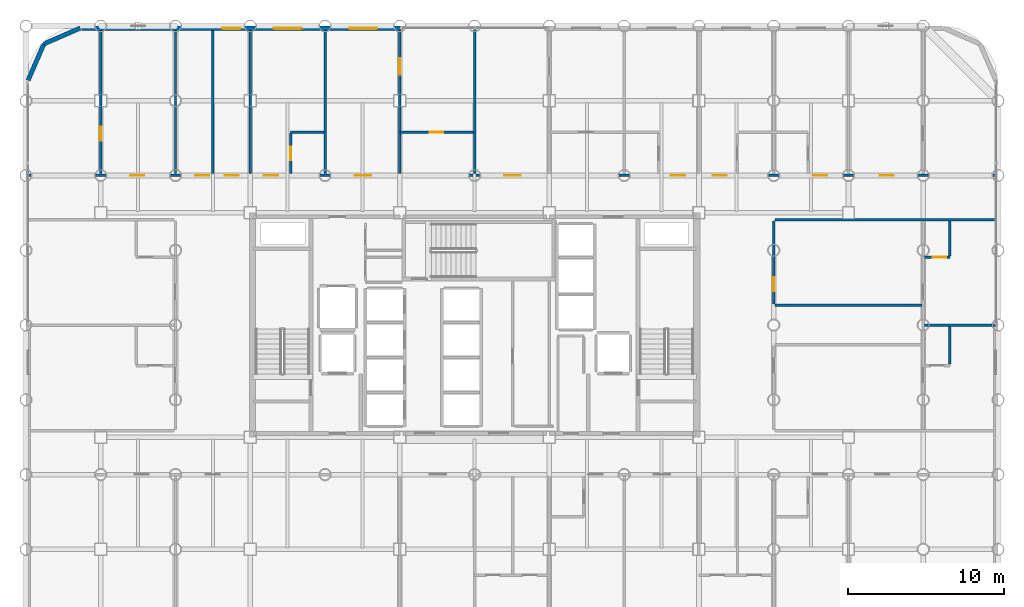
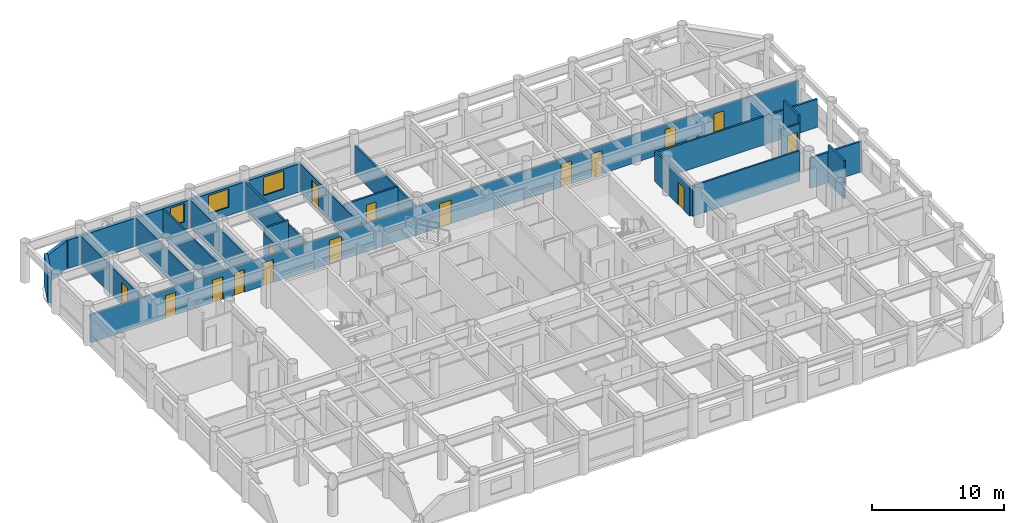
# One storey, part 18 of 20: 21 walls, 16 doors, 3 windows, 19 openings.
"""IFC4 building model written with IfcOpenShell, lengths in metres."""

from ifc_helpers import new_model, si_unit, direction, frame, frame_2d, origin, place, context, subcontext, project, spatial, rectangle, extrude, material, layer, layer_set, type_object, element, fill, save


model = new_model("IFC4")

# Units and contexts
model_context = context("Model", 3, precision=1e-05, world=origin(), true_north=direction((0.0, 1.0)))
body_context = subcontext(model_context, "Body", "Model", "MODEL_VIEW")
ifc_project = project(units=[si_unit("LENGTHUNIT", "METRE"), si_unit("AREAUNIT", "SQUARE_METRE"), si_unit("VOLUMEUNIT", "CUBIC_METRE"), si_unit("PLANEANGLEUNIT", "RADIAN"), si_unit("MASSUNIT", "GRAM", prefix="KILO")], contexts=[model_context])

# Site, building, storey
site_placement = place(None, origin())
site = spatial("IfcSite", under=ifc_project, at=site_placement, CompositionType="ELEMENT")
building_placement = place(site_placement, origin())
building = spatial("IfcBuilding", under=site, at=building_placement, Name="Kallvorn Hotel Tower", CompositionType="ELEMENT")
storey_placement = place(building_placement, frame((0.0, 0.0, 78.10009765625)))
storey = spatial("IfcBuildingStorey", under=building, at=storey_placement, Name="L18", CompositionType="ELEMENT", Elevation=78.10009765625)

# Wall
ifc_material_1 = material(Name="Fire-rated double-layer acoustic gypsum drywall EI 60")
ifc_layer_1 = layer(ifc_material_1, 0.159912109375)
ifc_layer_set_1 = layer_set([ifc_layer_1], Name="WL_DEMISE_160")
wall_type_1 = type_object("IfcWallType", Name="WL_DEMISE_160", PredefinedType="PARTITIONING", material=ifc_layer_set_1)
wall_1_placement = place(storey_placement, frame((28.8798828125, 0.0, 0.0), z_axis=(0.0, 0.0, 1.0), x_axis=(1.0, 0.0, 0.0)))
element("IfcWall", 1, at=wall_1_placement, inside=storey, type_object=wall_type_1, Name="L18 Suite 1804 E Andean Twin Room Partition", PredefinedType="PARTITIONING", context=body_context, shape_type="SweptSolid", body=[
    extrude(rectangle(XDim=4.550048828125, YDim=0.159912109375, at=frame_2d((2.27490234375, 0.0))), origin(), (0.0, 0.0, 1.0), 2.81982421875),
])

# Wall, opening, door
wall_2_placement = place(storey_placement, frame((28.8798828125, 4.35009765625, 0.0), z_axis=(0.0, 0.0, 1.0), x_axis=(1.0, 0.0, 0.0)))
wall_2 = element("IfcWall", 2, at=wall_2_placement, inside=storey, type_object=wall_type_1, Name="L18 Suite 1804 E Andean Twin Room Partition", PredefinedType="PARTITIONING", context=body_context, shape_type="SweptSolid", body=[
    extrude(rectangle(XDim=1.6201171875, YDim=0.159912109375, at=frame_2d((0.81005859375, 0.0))), origin(), (0.0, 0.0, 1.0), 2.81982421875),
])
opening_1_placement = place(wall_2_placement, frame((0.5400390625, 0.0, 0.0)))
opening_1 = element("IfcOpeningElement", 3, at=opening_1_placement, cuts=wall_2, Name="Opening BD-I", PredefinedType="OPENING", context=body_context, shape_type="SweptSolid", body=[
    extrude(rectangle(XDim=0.860107421875, YDim=2.10009765625, at=frame_2d((0.43017578125, 1.050048828125))), frame((0.0, 0.094970703125, 0.0), z_axis=(0.0, -1.0, 0.0), x_axis=(1.0, 0.0, 0.0)), (0.0, 0.0, 1.0), 0.18994140625),
])
ifc_material_2 = material(Name="Solid-core walnut veneer fire-rated timber door leaf", Category="wood")
door_type_1 = type_object("IfcDoorType", Name="DR_BATH_860x2100", OperationType="NOTDEFINED", PredefinedType="DOOR", material=ifc_material_2)
door_1_placement = place(opening_1_placement, origin())
door_1 = element("IfcDoor", 4, at=door_1_placement, inside=storey, type_object=door_type_1, Name="L18 Suite 1804 En-Suite Bathroom Door", OperationType="SINGLE_SWING_LEFT", OverallHeight=2.10009765625, OverallWidth=0.860107421875, PredefinedType="DOOR", context=body_context, shape_type="SweptSolid", body=[
    extrude(rectangle(XDim=0.860107421875, YDim=2.10009765625, at=frame_2d((0.43017578125, 1.050048828125))), frame((0.0, 0.02490234375, 0.0), z_axis=(0.0, -1.0, 0.0), x_axis=(1.0, 0.0, 0.0)), (0.0, 0.0, 1.0), 0.050048828125),
])
fill(opening_1, door_1)

# Wall
wall_3_placement = place(storey_placement, frame((19.280029296875, 6.75830078125, 0.0), z_axis=(0.0, 0.0, 1.0), x_axis=(1.0, 0.0, 0.0)))
element("IfcWall", 5, at=wall_3_placement, inside=storey, type_object=wall_type_1, Name="L18 Suite 1804 E Andean Twin Room Partition", PredefinedType="PARTITIONING", context=body_context, shape_type="SweptSolid", body=[
    extrude(rectangle(XDim=14.14990234375, YDim=0.159912109375, at=frame_2d((7.074951171875, 0.0))), origin(), (0.0, 0.0, 1.0), 2.619873046875),
])

# Wall, openings, doors
wall_4_placement = place(storey_placement, frame((-28.6298828125, 9.60009765625, 0.0), z_axis=(0.0, 0.0, 1.0), x_axis=(1.0, 0.0, 0.0)))
wall_4 = element("IfcWall", 6, at=wall_4_placement, inside=storey, type_object=wall_type_1, Name="L18 Suite 1809 Standard Twin Room Partition", PredefinedType="PARTITIONING", context=body_context, shape_type="SweptSolid", body=[
    extrude(rectangle(XDim=62.059814453125, YDim=0.159912109375, at=frame_2d((31.02978515625, 0.0))), origin(), (0.0, 0.0, 1.0), 2.619873046875),
])
opening_2_placement = place(wall_4_placement, frame((6.5400390625, 0.0, 0.0)))
opening_2 = element("IfcOpeningElement", 7, at=opening_2_placement, cuts=wall_4, Name="Opening SVD1", PredefinedType="OPENING", context=body_context, shape_type="SweptSolid", body=[
    extrude(rectangle(XDim=0.89990234375, YDim=2.10009765625, at=frame_2d((0.449951171875, 1.050048828125))), frame((0.0, 0.094970703125, 0.0), z_axis=(0.0, -1.0, 0.0), x_axis=(1.0, 0.0, 0.0)), (0.0, 0.0, 1.0), 0.18994140625),
])
opening_3_placement = place(wall_4_placement, frame((54.6201171875, 0.0, 0.0)))
opening_3 = element("IfcOpeningElement", 8, at=opening_3_placement, cuts=wall_4, Name="Opening SVD1", PredefinedType="OPENING", context=body_context, shape_type="SweptSolid", body=[
    extrude(rectangle(XDim=0.89990234375, YDim=2.10009765625, at=frame_2d((0.449951171875, 1.050048828125))), frame((0.0, 0.094970703125, 0.0), z_axis=(0.0, -1.0, 0.0), x_axis=(1.0, 0.0, 0.0)), (0.0, 0.0, 1.0), 0.18994140625),
])
opening_4_placement = place(wall_4_placement, frame((10.68994140625, 0.0, 0.0)))
opening_4 = element("IfcOpeningElement", 9, at=opening_4_placement, cuts=wall_4, Name="Opening SVD1", PredefinedType="OPENING", context=body_context, shape_type="SweptSolid", body=[
    extrude(rectangle(XDim=0.89990234375, YDim=2.10009765625, at=frame_2d((0.449951171875, 1.050048828125))), frame((0.0, 0.094970703125, 0.0), z_axis=(0.0, -1.0, 0.0), x_axis=(1.0, 0.0, 0.0)), (0.0, 0.0, 1.0), 0.18994140625),
])
opening_5_placement = place(wall_4_placement, frame((12.580078125, 0.0, 0.0)))
opening_5 = element("IfcOpeningElement", 10, at=opening_5_placement, cuts=wall_4, Name="Opening SVD1", PredefinedType="OPENING", context=body_context, shape_type="SweptSolid", body=[
    extrude(rectangle(XDim=0.89990234375, YDim=2.10009765625, at=frame_2d((0.449951171875, 1.050048828125))), frame((0.0, 0.094970703125, 0.0), z_axis=(0.0, -1.0, 0.0), x_axis=(1.0, 0.0, 0.0)), (0.0, 0.0, 1.0), 0.18994140625),
])
opening_6_placement = place(wall_4_placement, frame((15.10498046875, 0.0, 0.0)))
opening_6 = element("IfcOpeningElement", 11, at=opening_6_placement, cuts=wall_4, Name="Opening GD1", PredefinedType="OPENING", context=body_context, shape_type="SweptSolid", body=[
    extrude(rectangle(XDim=0.919921875, YDim=2.14990234375, at=frame_2d((0.4599609375, 1.074951171875))), frame((0.0, 0.094970703125, 0.0), z_axis=(0.0, -1.0, 0.0), x_axis=(1.0, 0.0, 0.0)), (0.0, 0.0, 1.0), 0.18994140625),
])
opening_7_placement = place(wall_4_placement, frame((20.945068359375, 0.0, 0.0)))
opening_7 = element("IfcOpeningElement", 12, at=opening_7_placement, cuts=wall_4, Name="Opening GD2", PredefinedType="OPENING", context=body_context, shape_type="SweptSolid", body=[
    extrude(rectangle(XDim=1.050048828125, YDim=2.199951171875, at=frame_2d((0.52490234375, 1.10009765625))), frame((0.0, 0.094970703125, 0.0), z_axis=(0.0, -1.0, 0.0), x_axis=(1.0, 0.0, 0.0)), (0.0, 0.0, 1.0), 0.18994140625),
])
opening_8_placement = place(wall_4_placement, frame((30.544921875, 0.0, 0.0)))
opening_8 = element("IfcOpeningElement", 13, at=opening_8_placement, cuts=wall_4, Name="Opening GD2", PredefinedType="OPENING", context=body_context, shape_type="SweptSolid", body=[
    extrude(rectangle(XDim=1.050048828125, YDim=2.199951171875, at=frame_2d((0.52490234375, 1.10009765625))), frame((0.0, 0.094970703125, 0.0), z_axis=(0.0, -1.0, 0.0), x_axis=(1.0, 0.0, 0.0)), (0.0, 0.0, 1.0), 0.18994140625),
])
opening_9_placement = place(wall_4_placement, frame((41.235107421875, 0.0, 0.0)))
opening_9 = element("IfcOpeningElement", 14, at=opening_9_placement, cuts=wall_4, Name="Opening GD1", PredefinedType="OPENING", context=body_context, shape_type="SweptSolid", body=[
    extrude(rectangle(XDim=0.919921875, YDim=2.14990234375, at=frame_2d((0.4599609375, 1.074951171875))), frame((0.0, 0.094970703125, 0.0), z_axis=(0.0, -1.0, 0.0), x_axis=(1.0, 0.0, 0.0)), (0.0, 0.0, 1.0), 0.18994140625),
])
opening_10_placement = place(wall_4_placement, frame((43.905029296875, 0.0, 0.0)))
opening_10 = element("IfcOpeningElement", 15, at=opening_10_placement, cuts=wall_4, Name="Opening GD1", PredefinedType="OPENING", context=body_context, shape_type="SweptSolid", body=[
    extrude(rectangle(XDim=0.919921875, YDim=2.14990234375, at=frame_2d((0.4599609375, 1.074951171875))), frame((0.0, 0.094970703125, 0.0), z_axis=(0.0, -1.0, 0.0), x_axis=(1.0, 0.0, 0.0)), (0.0, 0.0, 1.0), 0.18994140625),
])
opening_11_placement = place(wall_4_placement, frame((50.340087890625, 0.0, 0.0)))
opening_11 = element("IfcOpeningElement", 16, at=opening_11_placement, cuts=wall_4, Name="Opening GD1", PredefinedType="OPENING", context=body_context, shape_type="SweptSolid", body=[
    extrude(rectangle(XDim=0.919921875, YDim=2.14990234375, at=frame_2d((0.4599609375, 1.074951171875))), frame((0.0, 0.094970703125, 0.0), z_axis=(0.0, -1.0, 0.0), x_axis=(1.0, 0.0, 0.0)), (0.0, 0.0, 1.0), 0.18994140625),
])
ifc_material_3 = material(Name="Solid-core walnut veneer fire-rated timber door leaf", Category="wood")
door_type_2 = type_object("IfcDoorType", Name="DR_GUEST_920x2150", OperationType="NOTDEFINED", PredefinedType="DOOR", material=ifc_material_3)
door_2_placement = place(opening_6_placement, origin())
door_2 = element("IfcDoor", 17, at=door_2_placement, inside=storey, type_object=door_type_2, Name="L18 Suite 1809 Standard Twin Room Door", OperationType="SINGLE_SWING_RIGHT", OverallHeight=2.14990234375, OverallWidth=0.919921875, PredefinedType="DOOR", context=body_context, shape_type="SweptSolid", body=[
    extrude(rectangle(XDim=0.919921875, YDim=2.14990234375, at=frame_2d((0.4599609375, 1.074951171875))), frame((0.0, 0.02490234375, 0.0), z_axis=(0.0, -1.0, 0.0), x_axis=(1.0, 0.0, 0.0)), (0.0, 0.0, 1.0), 0.050048828125),
])
fill(opening_6, door_2)
door_3_placement = place(opening_9_placement, origin())
door_3 = element("IfcDoor", 18, at=door_3_placement, inside=storey, type_object=door_type_2, Name="L18 Suite 1812 Standard Twin Room Door", OperationType="SINGLE_SWING_RIGHT", OverallHeight=2.14990234375, OverallWidth=0.919921875, PredefinedType="DOOR", context=body_context, shape_type="SweptSolid", body=[
    extrude(rectangle(XDim=0.919921875, YDim=2.14990234375, at=frame_2d((0.4599609375, 1.074951171875))), frame((0.0, 0.02490234375, 0.0), z_axis=(0.0, -1.0, 0.0), x_axis=(1.0, 0.0, 0.0)), (0.0, 0.0, 1.0), 0.050048828125),
])
fill(opening_9, door_3)
door_4_placement = place(opening_10_placement, origin())
door_4 = element("IfcDoor", 19, at=door_4_placement, inside=storey, type_object=door_type_2, Name="L18 Suite 1813 Standard Twin Room Door", OperationType="SINGLE_SWING_RIGHT", OverallHeight=2.14990234375, OverallWidth=0.919921875, PredefinedType="DOOR", context=body_context, shape_type="SweptSolid", body=[
    extrude(rectangle(XDim=0.919921875, YDim=2.14990234375, at=frame_2d((0.4599609375, 1.074951171875))), frame((0.0, 0.02490234375, 0.0), z_axis=(0.0, -1.0, 0.0), x_axis=(1.0, 0.0, 0.0)), (0.0, 0.0, 1.0), 0.050048828125),
])
fill(opening_10, door_4)
door_5_placement = place(opening_11_placement, origin())
door_5 = element("IfcDoor", 20, at=door_5_placement, inside=storey, type_object=door_type_2, Name="L18 Suite 1814 Standard Twin Room Door", OperationType="SINGLE_SWING_RIGHT", OverallHeight=2.14990234375, OverallWidth=0.919921875, PredefinedType="DOOR", context=body_context, shape_type="SweptSolid", body=[
    extrude(rectangle(XDim=0.919921875, YDim=2.14990234375, at=frame_2d((0.4599609375, 1.074951171875))), frame((0.0, 0.02490234375, 0.0), z_axis=(0.0, -1.0, 0.0), x_axis=(1.0, 0.0, 0.0)), (0.0, 0.0, 1.0), 0.050048828125),
])
fill(opening_11, door_5)
ifc_material_4 = material(Name="Galvanised painted steel fire-rated door assembly", Category="steel")
door_type_3 = type_object("IfcDoorType", Name="DR_SERV_900x2100", OperationType="NOTDEFINED", PredefinedType="DOOR", material=ifc_material_4)
door_6_placement = place(opening_2_placement, origin())
door_6 = element("IfcDoor", 21, at=door_6_placement, inside=storey, type_object=door_type_3, Name="L18 L18 North-West Fitness Gymnasium B Door", OperationType="SINGLE_SWING_LEFT", OverallHeight=2.10009765625, OverallWidth=0.89990234375, PredefinedType="DOOR", context=body_context, shape_type="SweptSolid", body=[
    extrude(rectangle(XDim=0.89990234375, YDim=2.10009765625, at=frame_2d((0.449951171875, 1.050048828125))), frame((0.0, 0.02490234375, 0.0), z_axis=(0.0, -1.0, 0.0), x_axis=(1.0, 0.0, 0.0)), (0.0, 0.0, 1.0), 0.050048828125),
])
fill(opening_2, door_6)
door_7_placement = place(opening_3_placement, origin())
door_7 = element("IfcDoor", 22, at=door_7_placement, inside=storey, type_object=door_type_3, Name="L18 L18 North-East Reading Club A Door", OperationType="SINGLE_SWING_RIGHT", OverallHeight=2.10009765625, OverallWidth=0.89990234375, PredefinedType="DOOR", context=body_context, shape_type="SweptSolid", body=[
    extrude(rectangle(XDim=0.89990234375, YDim=2.10009765625, at=frame_2d((0.449951171875, 1.050048828125))), frame((0.0, 0.02490234375, 0.0), z_axis=(0.0, -1.0, 0.0), x_axis=(1.0, 0.0, 0.0)), (0.0, 0.0, 1.0), 0.050048828125),
])
fill(opening_3, door_7)
door_8_placement = place(opening_4_placement, origin())
door_8 = element("IfcDoor", 23, at=door_8_placement, inside=storey, type_object=door_type_3, Name="L18 Housekeeping and Linen Room Door", OperationType="SINGLE_SWING_RIGHT", OverallHeight=2.10009765625, OverallWidth=0.89990234375, PredefinedType="DOOR", context=body_context, shape_type="SweptSolid", body=[
    extrude(rectangle(XDim=0.89990234375, YDim=2.10009765625, at=frame_2d((0.449951171875, 1.050048828125))), frame((0.0, 0.02490234375, 0.0), z_axis=(0.0, -1.0, 0.0), x_axis=(1.0, 0.0, 0.0)), (0.0, 0.0, 1.0), 0.050048828125),
])
fill(opening_4, door_8)
door_9_placement = place(opening_5_placement, origin())
door_9 = element("IfcDoor", 24, at=door_9_placement, inside=storey, type_object=door_type_3, Name="L18 Guest Tea and Refreshment Bar Door", OperationType="SINGLE_SWING_LEFT", OverallHeight=2.10009765625, OverallWidth=0.89990234375, PredefinedType="DOOR", context=body_context, shape_type="SweptSolid", body=[
    extrude(rectangle(XDim=0.89990234375, YDim=2.10009765625, at=frame_2d((0.449951171875, 1.050048828125))), frame((0.0, 0.02490234375, 0.0), z_axis=(0.0, -1.0, 0.0), x_axis=(1.0, 0.0, 0.0)), (0.0, 0.0, 1.0), 0.050048828125),
])
fill(opening_5, door_9)
ifc_material_5 = material(Name="Solid-core walnut veneer fire-rated timber door leaf", Category="wood")
door_type_4 = type_object("IfcDoorType", Name="DR_SUITE_1050x2200", OperationType="NOTDEFINED", PredefinedType="DOOR", material=ifc_material_5)
door_10_placement = place(opening_7_placement, origin())
door_10 = element("IfcDoor", 25, at=door_10_placement, inside=storey, type_object=door_type_4, Name="L18 Suite 1810 Junior Living Salon Door", OperationType="SINGLE_SWING_RIGHT", OverallHeight=2.199951171875, OverallWidth=1.050048828125, PredefinedType="DOOR", context=body_context, shape_type="SweptSolid", body=[
    extrude(rectangle(XDim=1.050048828125, YDim=2.199951171875, at=frame_2d((0.52490234375, 1.10009765625))), frame((0.0, 0.02490234375, 0.0), z_axis=(0.0, -1.0, 0.0), x_axis=(1.0, 0.0, 0.0)), (0.0, 0.0, 1.0), 0.050048828125),
])
fill(opening_7, door_10)
door_11_placement = place(opening_8_placement, origin())
door_11 = element("IfcDoor", 26, at=door_11_placement, inside=storey, type_object=door_type_4, Name="L18 Suite 1811 Junior Living Salon Door", OperationType="SINGLE_SWING_LEFT", OverallHeight=2.199951171875, OverallWidth=1.050048828125, PredefinedType="DOOR", context=body_context, shape_type="SweptSolid", body=[
    extrude(rectangle(XDim=1.050048828125, YDim=2.199951171875, at=frame_2d((0.52490234375, 1.10009765625))), frame((0.0, 0.02490234375, 0.0), z_axis=(0.0, -1.0, 0.0), x_axis=(1.0, 0.0, 0.0)), (0.0, 0.0, 1.0), 0.050048828125),
])
fill(opening_8, door_11)

# Wall
wall_5_placement = place(storey_placement, frame((-11.81005859375, 12.3701171875, 0.0), z_axis=(0.0, 0.0, 1.0), x_axis=(1.0, 0.0, 0.0)))
element("IfcWall", 27, at=wall_5_placement, inside=storey, type_object=wall_type_1, Name="L18 Suite 1809 Standard Twin Room Partition", PredefinedType="PARTITIONING", context=body_context, shape_type="SweptSolid", body=[
    extrude(rectangle(XDim=2.130126953125, YDim=0.159912109375, at=frame_2d((1.06494140625, 0.0))), origin(), (0.0, 0.0, 1.0), 3.06982421875),
])

# Wall, opening, door
wall_6_placement = place(storey_placement, frame((-4.800048828125, 12.3701171875, 0.0), z_axis=(0.0, 0.0, 1.0), x_axis=(1.0, 0.0, 0.0)))
wall_6 = element("IfcWall", 28, at=wall_6_placement, inside=storey, type_object=wall_type_1, Name="L18 Suite 1810 Junior Bedroom Partition", PredefinedType="PARTITIONING", context=body_context, shape_type="SweptSolid", body=[
    extrude(rectangle(XDim=4.719970703125, YDim=0.159912109375, at=frame_2d((2.35986328125, 0.0))), origin(), (0.0, 0.0, 1.0), 2.81982421875),
])
opening_12_placement = place(wall_6_placement, frame((1.929931640625, 0.0, 0.0)))
opening_12 = element("IfcOpeningElement", 29, at=opening_12_placement, cuts=wall_6, Name="Opening BD-I", PredefinedType="OPENING", context=body_context, shape_type="SweptSolid", body=[
    extrude(rectangle(XDim=0.860107421875, YDim=2.10009765625, at=frame_2d((0.43017578125, 1.050048828125))), frame((0.0, 0.094970703125, 0.0), z_axis=(0.0, -1.0, 0.0), x_axis=(1.0, 0.0, 0.0)), (0.0, 0.0, 1.0), 0.18994140625),
])
door_12_placement = place(opening_12_placement, origin())
door_12 = element("IfcDoor", 30, at=door_12_placement, inside=storey, type_object=door_type_1, Name="L18 Suite 1810 En-Suite Bathroom Door", OperationType="SINGLE_SWING_LEFT", OverallHeight=2.10009765625, OverallWidth=0.860107421875, PredefinedType="DOOR", context=body_context, shape_type="SweptSolid", body=[
    extrude(rectangle(XDim=0.860107421875, YDim=2.10009765625, at=frame_2d((0.43017578125, 1.050048828125))), frame((0.0, 0.02490234375, 0.0), z_axis=(0.0, -1.0, 0.0), x_axis=(1.0, 0.0, 0.0)), (0.0, 0.0, 1.0), 0.050048828125),
])
fill(opening_12, door_12)

# Wall
wall_7_placement = place(storey_placement, frame((-14.39990234375, 9.719970703125, 0.0), z_axis=(0.0, 0.0, 1.0), x_axis=(0.0, 1.0, 0.0)))
element("IfcWall", 31, at=wall_7_placement, inside=storey, type_object=wall_type_1, Name="L18 Suite 1809 Standard Twin Room Partition", PredefinedType="PARTITIONING", context=body_context, shape_type="SweptSolid", body=[
    extrude(rectangle(XDim=9.18994140625, YDim=0.159912109375, at=frame_2d((4.594970703125, 0.0))), origin(), (0.0, 0.0, 1.0), 2.619873046875),
])

# Wall, opening, door
wall_8_placement = place(storey_placement, frame((-11.81005859375, 9.719970703125, 0.0), z_axis=(0.0, 0.0, 1.0), x_axis=(0.0, 1.0, 0.0)))
wall_8 = element("IfcWall", 32, at=wall_8_placement, inside=storey, type_object=wall_type_1, Name="L18 Suite 1809 Standard Twin Room Partition", PredefinedType="PARTITIONING", context=body_context, shape_type="SweptSolid", body=[
    extrude(rectangle(XDim=2.56494140625, YDim=0.159912109375, at=frame_2d((1.282470703125, 0.0))), origin(), (0.0, 0.0, 1.0), 2.619873046875),
])
opening_13_placement = place(wall_8_placement, frame((0.8701171875, 0.0, 0.0)))
opening_13 = element("IfcOpeningElement", 33, at=opening_13_placement, cuts=wall_8, Name="Opening BD-I", PredefinedType="OPENING", context=body_context, shape_type="SweptSolid", body=[
    extrude(rectangle(XDim=0.860107421875, YDim=2.10009765625, at=frame_2d((0.43017578125, 1.050048828125))), frame((0.0, 0.094970703125, 0.0), z_axis=(0.0, -1.0, 0.0), x_axis=(1.0, 0.0, 0.0)), (0.0, 0.0, 1.0), 0.18994140625),
])
door_13_placement = place(opening_13_placement, origin())
door_13 = element("IfcDoor", 34, at=door_13_placement, inside=storey, type_object=door_type_1, Name="L18 Suite 1809 En-Suite Bathroom Door", OperationType="SINGLE_SWING_LEFT", OverallHeight=2.10009765625, OverallWidth=0.860107421875, PredefinedType="DOOR", context=body_context, shape_type="SweptSolid", body=[
    extrude(rectangle(XDim=0.860107421875, YDim=2.10009765625, at=frame_2d((0.43017578125, 1.050048828125))), frame((0.0, 0.02490234375, 0.0), z_axis=(0.0, -1.0, 0.0), x_axis=(1.0, 0.0, 0.0)), (0.0, 0.0, 1.0), 0.050048828125),
])
fill(opening_13, door_13)

# Wall
wall_9_placement = place(storey_placement, frame((-9.60009765625, 9.719970703125, 0.0), z_axis=(0.0, 0.0, 1.0), x_axis=(0.0, 1.0, 0.0)))
element("IfcWall", 35, at=wall_9_placement, inside=storey, type_object=wall_type_1, Name="L18 Suite 1810 Junior Living Salon Partition", PredefinedType="PARTITIONING", context=body_context, shape_type="SweptSolid", body=[
    extrude(rectangle(XDim=9.18994140625, YDim=0.159912109375, at=frame_2d((4.594970703125, 0.0))), origin(), (0.0, 0.0, 1.0), 2.619873046875),
])

# Wall, opening, door
wall_10_placement = place(storey_placement, frame((-4.800048828125, 9.719970703125, 0.0), z_axis=(0.0, 0.0, 1.0), x_axis=(0.0, 1.0, 0.0)))
wall_10 = element("IfcWall", 36, at=wall_10_placement, inside=storey, type_object=wall_type_1, Name="L18 Suite 1810 Junior Living Salon Partition", PredefinedType="PARTITIONING", context=body_context, shape_type="SweptSolid", body=[
    extrude(rectangle(XDim=9.18994140625, YDim=0.159912109375, at=frame_2d((4.594970703125, 0.0))), origin(), (0.0, 0.0, 1.0), 2.619873046875),
])
opening_14_placement = place(wall_10_placement, frame((6.346923828125, 0.0, 0.0)))
opening_14 = element("IfcOpeningElement", 37, at=opening_14_placement, cuts=wall_10, Name="Opening GD2", PredefinedType="OPENING", context=body_context, shape_type="SweptSolid", body=[
    extrude(rectangle(XDim=1.050048828125, YDim=2.199951171875, at=frame_2d((0.52490234375, 1.10009765625))), frame((0.0, 0.094970703125, 0.0), z_axis=(0.0, -1.0, 0.0), x_axis=(1.0, 0.0, 0.0)), (0.0, 0.0, 1.0), 0.18994140625),
])
door_14_placement = place(opening_14_placement, origin())
door_14 = element("IfcDoor", 38, at=door_14_placement, inside=storey, type_object=door_type_4, Name="L18 Suite 1810 Junior Bedroom Door", OperationType="SINGLE_SWING_LEFT", OverallHeight=2.199951171875, OverallWidth=1.050048828125, PredefinedType="DOOR", context=body_context, shape_type="SweptSolid", body=[
    extrude(rectangle(XDim=1.050048828125, YDim=2.199951171875, at=frame_2d((0.52490234375, 1.10009765625))), frame((0.0, 0.02490234375, 0.0), z_axis=(0.0, -1.0, 0.0), x_axis=(1.0, 0.0, 0.0)), (0.0, 0.0, 1.0), 0.050048828125),
])
fill(opening_14, door_14)

# Walls
wall_11_placement = place(storey_placement, frame((0.0, 9.719970703125, 0.0), z_axis=(0.0, 0.0, 1.0), x_axis=(0.0, 1.0, 0.0)))
element("IfcWall", 39, at=wall_11_placement, inside=storey, type_object=wall_type_1, Name="L18 Suite 1811 Junior Living Salon Partition", PredefinedType="PARTITIONING", context=body_context, shape_type="SweptSolid", body=[
    extrude(rectangle(XDim=9.275146484375, YDim=0.159912109375, at=frame_2d((4.6376953125, 0.0))), origin(), (0.0, 0.0, 1.0), 2.619873046875),
])
wall_12_placement = place(storey_placement, frame((30.5, -2.514892578125, 0.0), z_axis=(0.0, 0.0, 1.0), x_axis=(0.0, 1.0, 0.0)))
element("IfcWall", 40, at=wall_12_placement, inside=storey, type_object=wall_type_1, Name="L18 Suite 1803 E Loggia King Room Partition", PredefinedType="PARTITIONING", context=body_context, shape_type="SweptSolid", body=[
    extrude(rectangle(XDim=2.414794921875, YDim=0.159912109375, at=frame_2d((1.20751953125, 0.0))), origin(), (0.0, 0.0, 1.0), 3.52001953125),
])
wall_13_placement = place(storey_placement, frame((30.5, 4.43505859375, 0.0), z_axis=(0.0, 0.0, 1.0), x_axis=(0.0, 1.0, 0.0)))
element("IfcWall", 41, at=wall_13_placement, inside=storey, type_object=wall_type_1, Name="L18 Suite 1804 E Andean Twin Room Partition", PredefinedType="PARTITIONING", context=body_context, shape_type="SweptSolid", body=[
    extrude(rectangle(XDim=2.23828125, YDim=0.159912109375, at=frame_2d((1.119140625, 0.0))), origin(), (0.0, 0.0, 1.0), 3.52001953125),
])
ifc_material_6 = material(Name="Precast basalt-clad insulated concrete wall C40/50", Category="masonry")
ifc_layer_2 = layer(ifc_material_6, 0.280029296875)
ifc_layer_set_2 = layer_set([ifc_layer_2], Name="WL_EXT_LOGGIA_280")
wall_type_2 = type_object("IfcWallType", Name="WL_EXT_LOGGIA_280", PredefinedType="SOLIDWALL", material=ifc_layer_set_2)
wall_14_placement = place(storey_placement, frame((-25.32080078125, 19.057861328125, 0.0), z_axis=(0.0, 0.0, 1.0), x_axis=(-0.917060872934, -0.398747232384, 0.0)))
element("IfcWall", 42, at=wall_14_placement, inside=storey, type_object=wall_type_2, Name="L18 Rounded Corner Exterior Wall NW1", PredefinedType="SOLIDWALL", context=body_context, shape_type="SweptSolid", body=[
    extrude(rectangle(XDim=2.5361328125, YDim=0.280029296875, at=frame_2d((1.26806640625, 0.0))), origin(), (0.0, 0.0, 1.0), 2.619873046875),
])
wall_15_placement = place(storey_placement, frame((-27.646484375, 18.046630859375, 0.0), z_axis=(0.0, 0.0, 1.0), x_axis=(-0.398792985289, -0.917040977756, 0.0)))
element("IfcWall", 43, at=wall_15_placement, inside=storey, type_object=wall_type_2, Name="L18 Rounded Corner Exterior Wall NW2", PredefinedType="SOLIDWALL", context=body_context, shape_type="SweptSolid", body=[
    extrude(rectangle(XDim=2.536376953125, YDim=0.280029296875, at=frame_2d((1.26806640625, 0.0))), origin(), (0.0, 0.0, 1.0), 2.81982421875),
])

# Wall, openings, windows
wall_16_placement = place(storey_placement, frame((-25.199951171875, 19.06005859375, 0.0), z_axis=(0.0, 0.0, 1.0), x_axis=(1.0, 0.0, 0.0)))
wall_16 = element("IfcWall", 44, at=wall_16_placement, inside=storey, type_object=wall_type_2, Name="L18 Exterior Envelope Wall EW-L18-NW", PredefinedType="SOLIDWALL", context=body_context, shape_type="SweptSolid", body=[
    extrude(rectangle(XDim=20.449951171875, YDim=0.280029296875, at=frame_2d((10.22509765625, 0.0))), origin(), (0.0, 0.0, 1.0), 2.619873046875),
])
opening_15_placement = place(wall_16_placement, frame((9.0, 0.0, 0.75)))
opening_15 = element("IfcOpeningElement", 45, at=opening_15_placement, cuts=wall_16, Name="Opening W06", PredefinedType="OPENING", context=body_context, shape_type="SweptSolid", body=[
    extrude(rectangle(XDim=1.199951171875, YDim=1.699951171875, at=frame_2d((0.60009765625, 0.85009765625))), frame((0.0, 0.155029296875, 0.0), z_axis=(0.0, -1.0, 0.0), x_axis=(1.0, 0.0, 0.0)), (0.0, 0.0, 1.0), 0.31005859375),
])
opening_16_placement = place(wall_16_placement, frame((12.300048828125, 0.0, 0.75)))
opening_16 = element("IfcOpeningElement", 46, at=opening_16_placement, cuts=wall_16, Name="Opening W04", PredefinedType="OPENING", context=body_context, shape_type="SweptSolid", body=[
    extrude(rectangle(XDim=1.800048828125, YDim=1.699951171875, at=frame_2d((0.89990234375, 0.85009765625))), frame((0.0, 0.155029296875, 0.0), z_axis=(0.0, -1.0, 0.0), x_axis=(1.0, 0.0, 0.0)), (0.0, 0.0, 1.0), 0.31005859375),
])
opening_17_placement = place(wall_16_placement, frame((17.139892578125, 0.0, 0.75)))
opening_17 = element("IfcOpeningElement", 47, at=opening_17_placement, cuts=wall_16, Name="Opening W04", PredefinedType="OPENING", context=body_context, shape_type="SweptSolid", body=[
    extrude(rectangle(XDim=1.800048828125, YDim=1.699951171875, at=frame_2d((0.89990234375, 0.85009765625))), frame((0.0, 0.155029296875, 0.0), z_axis=(0.0, -1.0, 0.0), x_axis=(1.0, 0.0, 0.0)), (0.0, 0.0, 1.0), 0.31005859375),
])
ifc_material_7 = material(Name="Triple-glazed low-e acoustic solar-control dark glass", Category="glass")
window_type_1 = type_object("IfcWindowType", Name="WN_HTL_1200x1700", PartitioningType="SINGLE_PANEL", PredefinedType="WINDOW", material=ifc_material_7)
window_1_placement = place(opening_15_placement, origin())
window_1 = element("IfcWindow", 48, at=window_1_placement, inside=storey, type_object=window_type_1, Name="L18 Guestroom Exterior Window 08", OverallHeight=1.699951171875, OverallWidth=1.199951171875, PartitioningType="SINGLE_PANEL", PredefinedType="WINDOW", context=body_context, shape_type="SweptSolid", body=[
    extrude(rectangle(XDim=1.199951171875, YDim=1.699951171875, at=frame_2d((0.60009765625, 0.85009765625))), frame((0.0, 0.030029296875, 0.0), z_axis=(0.0, -1.0, 0.0), x_axis=(1.0, 0.0, 0.0)), (0.0, 0.0, 1.0), 0.06005859375),
])
fill(opening_15, window_1)
ifc_material_8 = material(Name="Double-glazed low-e solar-control dark glass", Category="glass")
window_type_2 = type_object("IfcWindowType", Name="WN_HTL_1800x1700", PartitioningType="SINGLE_PANEL", PredefinedType="WINDOW", material=ifc_material_8)
window_2_placement = place(opening_16_placement, origin())
window_2 = element("IfcWindow", 49, at=window_2_placement, inside=storey, type_object=window_type_2, Name="L18 Guestroom Exterior Window 09", OverallHeight=1.699951171875, OverallWidth=1.800048828125, PartitioningType="SINGLE_PANEL", PredefinedType="WINDOW", context=body_context, shape_type="SweptSolid", body=[
    extrude(rectangle(XDim=1.800048828125, YDim=1.699951171875, at=frame_2d((0.89990234375, 0.85009765625))), frame((0.0, 0.030029296875, 0.0), z_axis=(0.0, -1.0, 0.0), x_axis=(1.0, 0.0, 0.0)), (0.0, 0.0, 1.0), 0.06005859375),
])
fill(opening_16, window_2)
window_3_placement = place(opening_17_placement, origin())
window_3 = element("IfcWindow", 50, at=window_3_placement, inside=storey, type_object=window_type_2, Name="L18 Guestroom Exterior Window 10", OverallHeight=1.699951171875, OverallWidth=1.800048828125, PartitioningType="SINGLE_PANEL", PredefinedType="WINDOW", context=body_context, shape_type="SweptSolid", body=[
    extrude(rectangle(XDim=1.800048828125, YDim=1.699951171875, at=frame_2d((0.89990234375, 0.85009765625))), frame((0.0, 0.030029296875, 0.0), z_axis=(0.0, -1.0, 0.0), x_axis=(1.0, 0.0, 0.0)), (0.0, 0.0, 1.0), 0.06005859375),
])
fill(opening_17, window_3)

# Wall
ifc_material_9 = material(Name="Fire-rated double-layer acoustic gypsum drywall EI 60")
ifc_layer_3 = layer(ifc_material_9, 0.14990234375)
ifc_layer_set_3 = layer_set([ifc_layer_3], Name="WL_PART_150")
wall_type_3 = type_object("IfcWallType", Name="WL_PART_150", PredefinedType="PARTITIONING", material=ifc_layer_set_3)
wall_17_placement = place(storey_placement, frame((19.280029296875, 1.260009765625, 0.0), z_axis=(0.0, 0.0, 1.0), x_axis=(1.0, 0.0, 0.0)))
element("IfcWall", 51, at=wall_17_placement, inside=storey, type_object=wall_type_3, Name="L18 L18 East Inner Screening Salon Partition", PredefinedType="PARTITIONING", context=body_context, shape_type="SweptSolid", body=[
    extrude(rectangle(XDim=9.43994140625, YDim=0.14990234375, at=frame_2d((4.719970703125, 0.0))), origin(), (0.0, 0.0, 1.0), 2.81982421875),
])

# Wall, opening, door
wall_18_placement = place(storey_placement, frame((-24.0, 9.719970703125, 0.0), z_axis=(0.0, 0.0, 1.0), x_axis=(0.0, 1.0, 0.0)))
wall_18 = element("IfcWall", 52, at=wall_18_placement, inside=storey, type_object=wall_type_3, Name="L18 L18 North-West Fitness Gymnasium A Partition", PredefinedType="PARTITIONING", context=body_context, shape_type="SweptSolid", body=[
    extrude(rectangle(XDim=9.18994140625, YDim=0.14990234375, at=frame_2d((4.594970703125, 0.0))), origin(), (0.0, 0.0, 1.0), 2.619873046875),
])
opening_18_placement = place(wall_18_placement, frame((2.10791015625, 0.0, 0.0)))
opening_18 = element("IfcOpeningElement", 53, at=opening_18_placement, cuts=wall_18, Name="Opening SVD1", PredefinedType="OPENING", context=body_context, shape_type="SweptSolid", body=[
    extrude(rectangle(XDim=0.89990234375, YDim=2.10009765625, at=frame_2d((0.449951171875, 1.050048828125))), frame((0.0, 0.08984375, 0.0), z_axis=(0.0, -1.0, 0.0), x_axis=(1.0, 0.0, 0.0)), (0.0, 0.0, 1.0), 0.179931640625),
])
door_15_placement = place(opening_18_placement, origin())
door_15 = element("IfcDoor", 54, at=door_15_placement, inside=storey, type_object=door_type_3, Name="L18 L18 North-West Fitness Gymnasium A Door", OperationType="SINGLE_SWING_LEFT", OverallHeight=2.10009765625, OverallWidth=0.89990234375, PredefinedType="DOOR", context=body_context, shape_type="SweptSolid", body=[
    extrude(rectangle(XDim=0.89990234375, YDim=2.10009765625, at=frame_2d((0.449951171875, 1.050048828125))), frame((0.0, 0.02490234375, 0.0), z_axis=(0.0, -1.0, 0.0), x_axis=(1.0, 0.0, 0.0)), (0.0, 0.0, 1.0), 0.050048828125),
])
fill(opening_18, door_15)

# Walls
for number, where, z_axis, x_axis, name in (
    (55, (-19.199951171875, 9.719970703125, 0.0), (0.0, 0.0, 1.0), (0.0, 1.0, 0.0), "L18 Housekeeping and Linen Room Partition"),
    (56, (-16.800048828125, 9.719970703125, 0.0), (0.0, 0.0, 1.0), (0.0, 1.0, 0.0), "L18 Guest Tea and Refreshment Bar Partition"),
):
    element("IfcWall", number, at=place(storey_placement, frame(where, z_axis=z_axis, x_axis=x_axis)), inside=storey, type_object=wall_type_3, Name=name, PredefinedType="PARTITIONING", context=body_context, shape_type="SweptSolid", body=[
        extrude(rectangle(XDim=9.18994140625, YDim=0.14990234375, at=frame_2d((4.594970703125, 0.0))), origin(), (0.0, 0.0, 1.0), 2.619873046875),
    ])

# Wall, opening, door
wall_19_placement = place(storey_placement, frame((19.199951171875, 1.344970703125, 0.0), z_axis=(0.0, 0.0, 1.0), x_axis=(0.0, 1.0, 0.0)))
wall_19 = element("IfcWall", 57, at=wall_19_placement, inside=storey, type_object=wall_type_3, Name="L18 L18 East Inner Screening Salon Partition", PredefinedType="PARTITIONING", context=body_context, shape_type="SweptSolid", body=[
    extrude(rectangle(XDim=5.328369140625, YDim=0.14990234375, at=frame_2d((2.6640625, 0.0))), origin(), (0.0, 0.0, 1.0), 2.81982421875),
])
opening_19_placement = place(wall_19_placement, frame((0.818115234375, 0.0, 0.0)))
opening_19 = element("IfcOpeningElement", 58, at=opening_19_placement, cuts=wall_19, Name="Opening SVD1", PredefinedType="OPENING", context=body_context, shape_type="SweptSolid", body=[
    extrude(rectangle(XDim=0.89990234375, YDim=2.10009765625, at=frame_2d((0.449951171875, 1.050048828125))), frame((0.0, 0.08984375, 0.0), z_axis=(0.0, -1.0, 0.0), x_axis=(1.0, 0.0, 0.0)), (0.0, 0.0, 1.0), 0.179931640625),
])
door_16_placement = place(opening_19_placement, origin())
door_16 = element("IfcDoor", 59, at=door_16_placement, inside=storey, type_object=door_type_3, Name="L18 L18 East Inner Screening Salon Door", OperationType="SINGLE_SWING_LEFT", OverallHeight=2.10009765625, OverallWidth=0.89990234375, PredefinedType="DOOR", context=body_context, shape_type="SweptSolid", body=[
    extrude(rectangle(XDim=0.89990234375, YDim=2.10009765625, at=frame_2d((0.449951171875, 1.050048828125))), frame((0.0, 0.02490234375, 0.0), z_axis=(0.0, -1.0, 0.0), x_axis=(1.0, 0.0, 0.0)), (0.0, 0.0, 1.0), 0.050048828125),
])
fill(opening_19, door_16)

save(model, "model.ifc")
